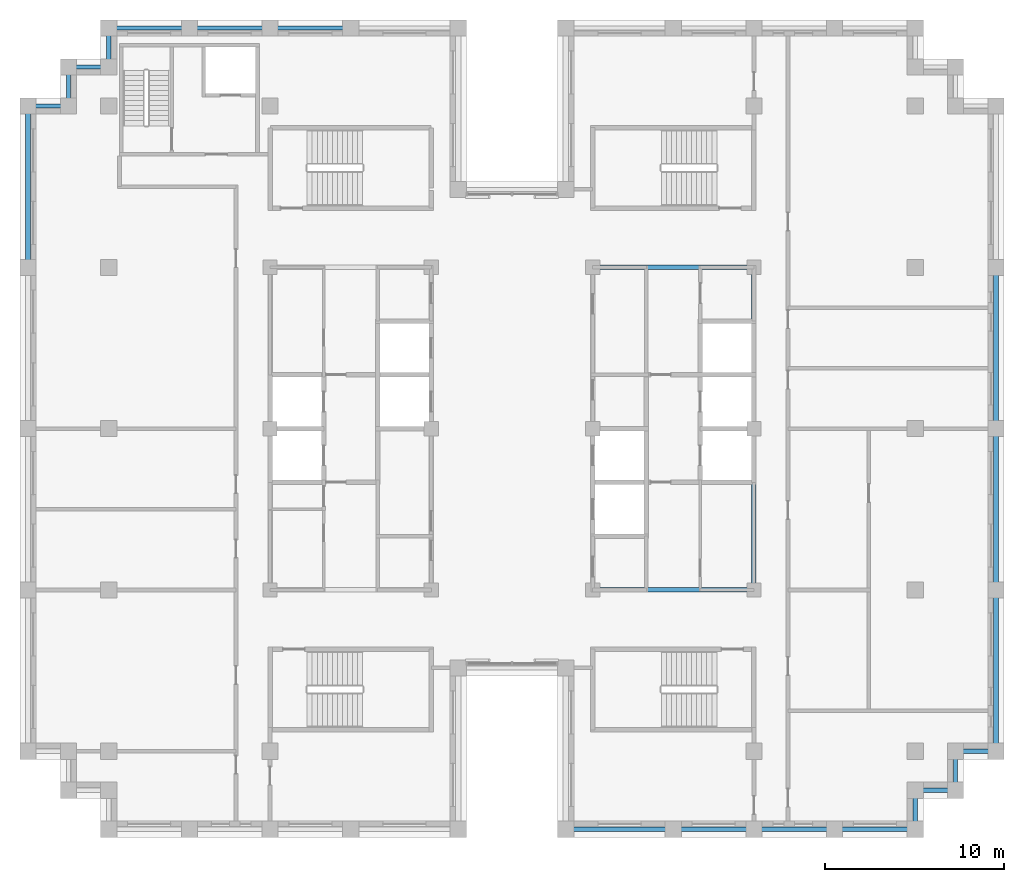
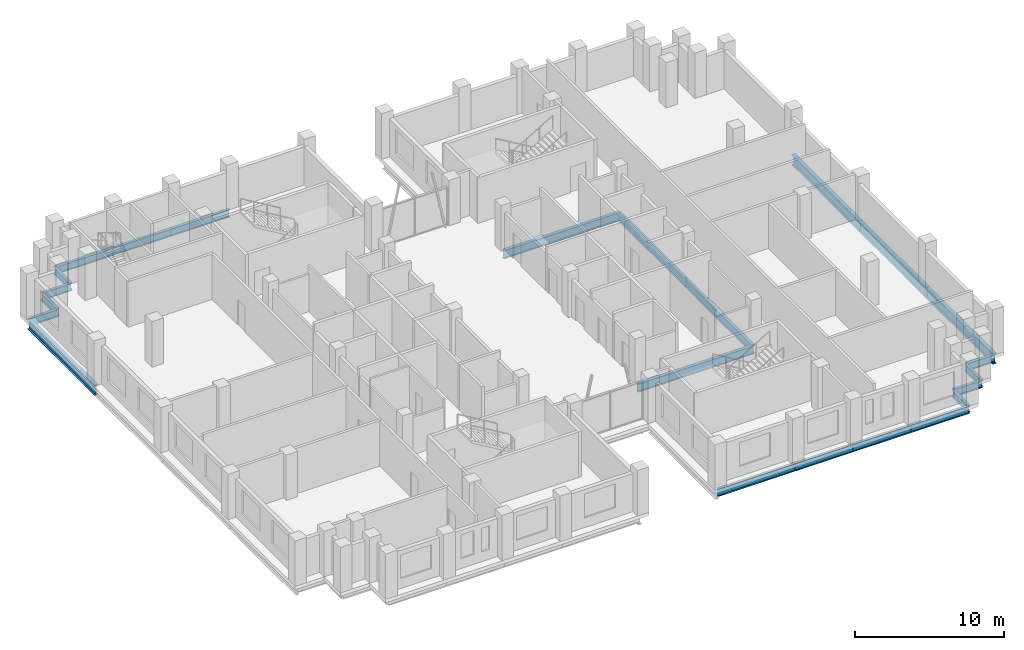
# One storey, part 3 of 13: 23 beams.
"""IFC4 building model written with IfcOpenShell, lengths in metres."""

from ifc_helpers import new_model, si_unit, direction, frame, origin, origin_2d, place, context, subcontext, project, spatial, i_section, extrude, material, material_profile, profile_set, type_object, element, save


model = new_model("IFC4")

# Units and contexts
model_context = context("Model", 3, precision=1e-05, world=origin(), true_north=direction((0.0, 1.0)))
body_context = subcontext(model_context, "Body", "Model", "MODEL_VIEW")
ifc_project = project(units=[si_unit("LENGTHUNIT", "METRE"), si_unit("AREAUNIT", "SQUARE_METRE"), si_unit("VOLUMEUNIT", "CUBIC_METRE"), si_unit("PLANEANGLEUNIT", "RADIAN"), si_unit("MASSUNIT", "GRAM", prefix="KILO")], contexts=[model_context])

# Site, building, storey
site_placement = place(None, origin())
site = spatial("IfcSite", under=ifc_project, at=site_placement, CompositionType="ELEMENT")
building_placement = place(site_placement, origin())
building = spatial("IfcBuilding", under=site, at=building_placement, Name="Corbelhall Arena Tower", CompositionType="ELEMENT")
storey_placement = place(building_placement, frame((0.0, 0.0, 286.0)))
storey = spatial("IfcBuildingStorey", under=building, at=storey_placement, Name="L62", CompositionType="ELEMENT", Elevation=286.0)

# Beams
ifc_material = material(Name="Steel ASTM A992 Gr50", Category="steel")
ifc_material_profile_1 = material_profile(ifc_material, i_section(OverallWidth=0.25390625, OverallDepth=0.67822265625, WebThickness=0.01171875, FlangeThickness=0.016357421875, at=origin_2d()))
ifc_profile_set_1 = profile_set([ifc_material_profile_1], Name="Steel ASTM A992 Gr50")
beam_type_1 = type_object("IfcBeamType", Name="ST-BEAM-W27x84", PredefinedType="BEAM", material=ifc_profile_set_1)
for number, where, z_axis, x_axis, name in (
    (1, (13.5, -9.0, -0.619140625), (0.0, 1.0, 0.0), (-1.0, 0.0, 0.0), "Beam CEE 9"),
    (2, (13.5, 0.0, -0.619140625), (0.0, 1.0, 0.0), (-1.0, 0.0, 0.0), "Beam CEE 10"),
    (3, (4.5, -9.0, -0.619140625), (1.0, 0.0, 0.0), (0.0, 1.0, 0.0), "Beam CEE 11"),
    (4, (4.5, 9.0, -0.619140625), (1.0, 0.0, 0.0), (0.0, 1.0, 0.0), "Beam CEE 12"),
):
    element("IfcBeam", number, at=place(storey_placement, frame(where, z_axis=z_axis, x_axis=x_axis)), inside=storey, type_object=beam_type_1, Name=name, PredefinedType="BEAM", context=body_context, shape_type="SweptSolid", body=[
        extrude(i_section(OverallWidth=0.25390625, OverallDepth=0.67822265625, WebThickness=0.01171875, FlangeThickness=0.016357421875, at=origin_2d()), origin(), (0.0, 0.0, 1.0), 9.0),
    ])
ifc_material_profile_2 = material_profile(ifc_material, i_section(OverallWidth=0.227783203125, OverallDepth=0.60205078125, WebThickness=0.010498046875, FlangeThickness=0.014892578125, at=origin_2d()))
ifc_profile_set_2 = profile_set([ifc_material_profile_2], Name="Steel ASTM A992 Gr50")
beam_type_2 = type_object("IfcBeamType", Name="ST-SPANDREL-W24x68", PredefinedType="SPANDREL", material=ifc_profile_set_2)
beam_1_placement = place(storey_placement, frame((27.0, -18.0, -0.5810546875), z_axis=(-1.0, 0.0, 0.0), x_axis=(0.0, -1.0, 0.0)))
element("IfcBeam", 5, at=beam_1_placement, inside=storey, type_object=beam_type_2, Name="Beam SP 5", PredefinedType="SPANDREL", context=body_context, shape_type="SweptSolid", body=[
    extrude(i_section(OverallWidth=0.227783203125, OverallDepth=0.60205078125, WebThickness=0.010498046875, FlangeThickness=0.014892578125, at=origin_2d()), origin(), (0.0, 0.0, 1.0), 2.25),
])
for number, where, z_axis, x_axis, name in (
    (6, (-13.5, 22.35009765625, -0.5810546875), (1.0, 0.0, 0.0), (0.0, 1.0, 0.0), "Beam SP 13"),
    (7, (-18.0, 22.35009765625, -0.5810546875), (1.0, 0.0, 0.0), (0.0, 1.0, 0.0), "Beam SP 14"),
    (8, (-22.5, 22.35009765625, -0.5810546875), (1.0, 0.0, 0.0), (0.0, 1.0, 0.0), "Beam SP 15"),
):
    element("IfcBeam", number, at=place(storey_placement, frame(where, z_axis=z_axis, x_axis=x_axis)), inside=storey, type_object=beam_type_2, Name=name, PredefinedType="SPANDREL", context=body_context, shape_type="SweptSolid", body=[
        extrude(i_section(OverallWidth=0.227783203125, OverallDepth=0.60205078125, WebThickness=0.010498046875, FlangeThickness=0.014892578125, at=origin_2d()), origin(), (0.0, 0.0, 1.0), 4.5),
    ])
beam_2_placement = place(storey_placement, frame((9.0, -22.35009765625, -0.5810546875), z_axis=(-1.0, 0.0, 0.0), x_axis=(0.0, -1.0, 0.0)))
element("IfcBeam", 9, at=beam_2_placement, inside=storey, type_object=beam_type_2, Name="Beam SP 17", PredefinedType="SPANDREL", context=body_context, shape_type="SweptSolid", body=[
    extrude(i_section(OverallWidth=0.227783203125, OverallDepth=0.60205078125, WebThickness=0.010498046875, FlangeThickness=0.014892578125, at=origin_2d()), origin(), (0.0, 0.0, 1.0), 6.0),
])
for number, where, z_axis, x_axis, name in (
    (10, (13.5, -22.35009765625, -0.5810546875), (-1.0, 0.0, 0.0), (0.0, -1.0, 0.0), "Beam SP 18"),
    (11, (18.0, -22.35009765625, -0.5810546875), (-1.0, 0.0, 0.0), (0.0, -1.0, 0.0), "Beam SP 19"),
    (12, (22.5, -22.35009765625, -0.5810546875), (-1.0, 0.0, 0.0), (0.0, -1.0, 0.0), "Beam SP 20"),
):
    element("IfcBeam", number, at=place(storey_placement, frame(where, z_axis=z_axis, x_axis=x_axis)), inside=storey, type_object=beam_type_2, Name=name, PredefinedType="SPANDREL", context=body_context, shape_type="SweptSolid", body=[
        extrude(i_section(OverallWidth=0.227783203125, OverallDepth=0.60205078125, WebThickness=0.010498046875, FlangeThickness=0.014892578125, at=origin_2d()), origin(), (0.0, 0.0, 1.0), 4.5),
    ])
beam_3_placement = place(storey_placement, frame((-27.0, 18.0, -0.5810546875), z_axis=(1.0, 0.0, 0.0), x_axis=(0.0, 1.0, 0.0)))
element("IfcBeam", 13, at=beam_3_placement, inside=storey, type_object=beam_type_2, Name="Beam SP 28", PredefinedType="SPANDREL", context=body_context, shape_type="SweptSolid", body=[
    extrude(i_section(OverallWidth=0.227783203125, OverallDepth=0.60205078125, WebThickness=0.010498046875, FlangeThickness=0.014892578125, at=origin_2d()), origin(), (0.0, 0.0, 1.0), 2.25),
])
beam_4_placement = place(storey_placement, frame((-22.5, 20.175048828125, -0.5810546875), z_axis=(0.0, 1.0, 0.0), x_axis=(-1.0, 0.0, 0.0)))
element("IfcBeam", 14, at=beam_4_placement, inside=storey, type_object=beam_type_2, Name="Beam SP 38", PredefinedType="SPANDREL", context=body_context, shape_type="SweptSolid", body=[
    extrude(i_section(OverallWidth=0.227783203125, OverallDepth=0.60205078125, WebThickness=0.010498046875, FlangeThickness=0.014892578125, at=origin_2d()), origin(), (0.0, 0.0, 1.0), 2.175048828125),
])
beam_5_placement = place(storey_placement, frame((-24.75, 20.175048828125, -0.5810546875), z_axis=(1.0, 0.0, 0.0), x_axis=(0.0, 1.0, 0.0)))
element("IfcBeam", 15, at=beam_5_placement, inside=storey, type_object=beam_type_2, Name="Beam SP 39", PredefinedType="SPANDREL", context=body_context, shape_type="SweptSolid", body=[
    extrude(i_section(OverallWidth=0.227783203125, OverallDepth=0.60205078125, WebThickness=0.010498046875, FlangeThickness=0.014892578125, at=origin_2d()), origin(), (0.0, 0.0, 1.0), 2.25),
])
for number, where, z_axis, x_axis, name in (
    (16, (-24.75, 18.0, -0.5810546875), (0.0, 1.0, 0.0), (-1.0, 0.0, 0.0), "Beam SP 40"),
    (17, (22.5, -20.175048828125, -0.5810546875), (0.0, -1.0, 0.0), (1.0, 0.0, 0.0), "Beam SP 41"),
):
    element("IfcBeam", number, at=place(storey_placement, frame(where, z_axis=z_axis, x_axis=x_axis)), inside=storey, type_object=beam_type_2, Name=name, PredefinedType="SPANDREL", context=body_context, shape_type="SweptSolid", body=[
        extrude(i_section(OverallWidth=0.227783203125, OverallDepth=0.60205078125, WebThickness=0.010498046875, FlangeThickness=0.014892578125, at=origin_2d()), origin(), (0.0, 0.0, 1.0), 2.175048828125),
    ])
beam_6_placement = place(storey_placement, frame((24.75, -20.175048828125, -0.5810546875), z_axis=(-1.0, 0.0, 0.0), x_axis=(0.0, -1.0, 0.0)))
element("IfcBeam", 18, at=beam_6_placement, inside=storey, type_object=beam_type_2, Name="Beam SP 42", PredefinedType="SPANDREL", context=body_context, shape_type="SweptSolid", body=[
    extrude(i_section(OverallWidth=0.227783203125, OverallDepth=0.60205078125, WebThickness=0.010498046875, FlangeThickness=0.014892578125, at=origin_2d()), origin(), (0.0, 0.0, 1.0), 2.25),
])
beam_7_placement = place(storey_placement, frame((24.75, -18.0, -0.5810546875), z_axis=(0.0, -1.0, 0.0), x_axis=(1.0, 0.0, 0.0)))
element("IfcBeam", 19, at=beam_7_placement, inside=storey, type_object=beam_type_2, Name="Beam SP 43", PredefinedType="SPANDREL", context=body_context, shape_type="SweptSolid", body=[
    extrude(i_section(OverallWidth=0.227783203125, OverallDepth=0.60205078125, WebThickness=0.010498046875, FlangeThickness=0.014892578125, at=origin_2d()), origin(), (0.0, 0.0, 1.0), 2.175048828125),
])
ifc_material_profile_3 = material_profile(ifc_material, i_section(OverallWidth=0.2919921875, OverallDepth=0.845703125, WebThickness=0.015380859375, FlangeThickness=0.0244140625, at=origin_2d()))
ifc_profile_set_3 = profile_set([ifc_material_profile_3], Name="Steel ASTM A992 Gr50")
beam_type_3 = type_object("IfcBeamType", Name="ST-SPANDREL-W33x141", PredefinedType="SPANDREL", material=ifc_profile_set_3)
for number, where, z_axis, x_axis, name in (
    (20, (27.0, 0.0, -0.702880859375), (0.0, -1.0, 0.0), (1.0, 0.0, 0.0), "Beam SP 1"),
    (21, (27.0, 9.0, -0.702880859375), (0.0, -1.0, 0.0), (1.0, 0.0, 0.0), "Beam SP 2"),
    (22, (27.0, -9.0, -0.702880859375), (0.0, -1.0, 0.0), (1.0, 0.0, 0.0), "Beam SP 4"),
    (23, (-27.0, 9.0, -0.702880859375), (0.0, 1.0, 0.0), (-1.0, 0.0, 0.0), "Beam SP 27"),
):
    element("IfcBeam", number, at=place(storey_placement, frame(where, z_axis=z_axis, x_axis=x_axis)), inside=storey, type_object=beam_type_3, Name=name, PredefinedType="SPANDREL", context=body_context, shape_type="SweptSolid", body=[
        extrude(i_section(OverallWidth=0.2919921875, OverallDepth=0.845703125, WebThickness=0.015380859375, FlangeThickness=0.0244140625, at=origin_2d()), origin(), (0.0, 0.0, 1.0), 9.0),
    ])

save(model, "model.ifc")
